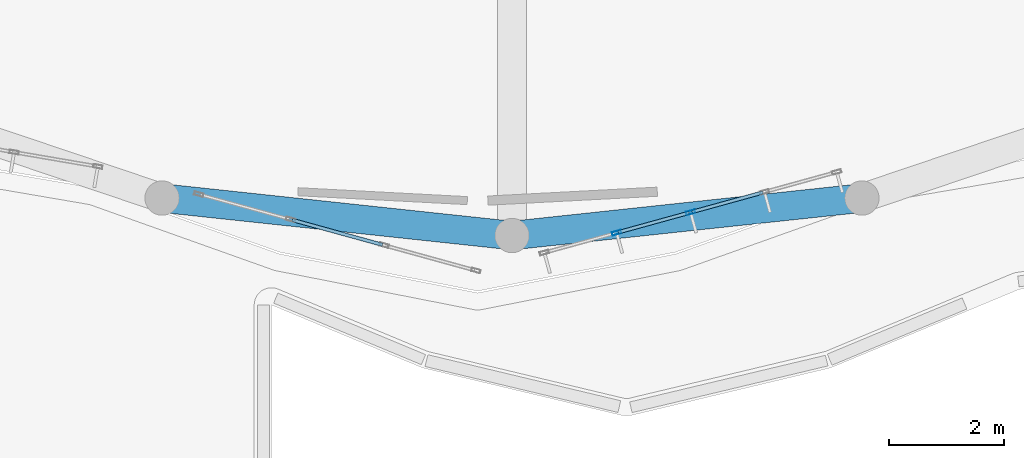
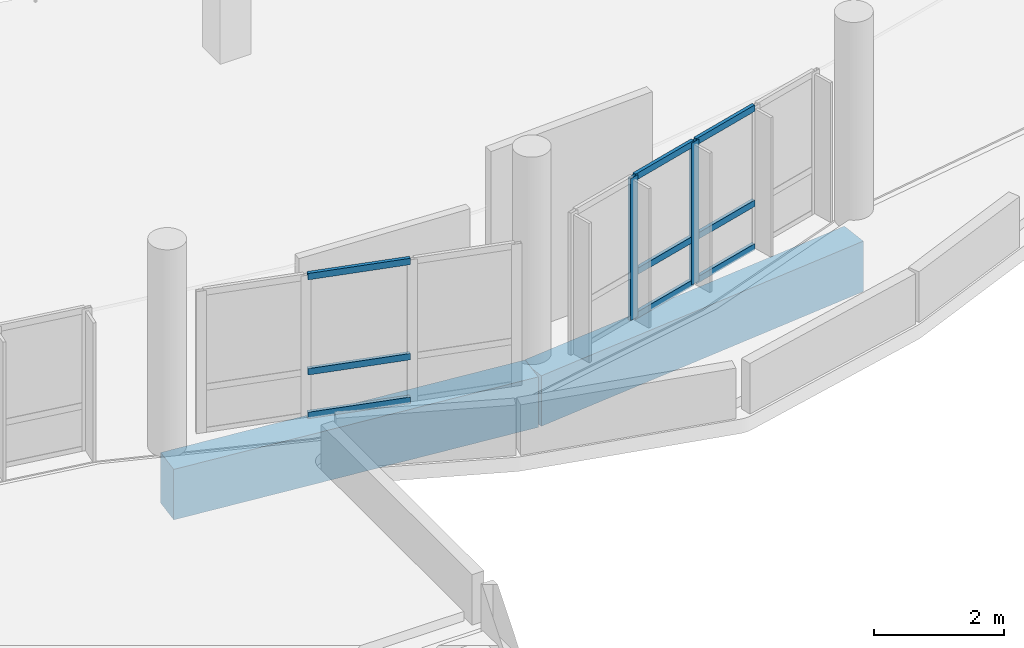
# One storey, part 10 of 74: 11 members, 2 beams, 2 elements without a shape of their own.
"""IFC4 building model written with IfcOpenShell, lengths in metres."""

from ifc_helpers import new_model, si_unit, derived_unit, direction, frame, origin, origin_2d, place, context, subcontext, project, spatial, rectangle, hollow_rectangle, extrude, material, layer, layer_set, material_profile, profile_set, type_object, element, aggregate, save


model = new_model("IFC4")

# Units and contexts
model_context = context("Model", 3, precision=1e-05, world=origin(), true_north=direction((0.0, 1.0)))
body_context = subcontext(model_context, "Body", "Model", "MODEL_VIEW")
ifc_project = project(units=[si_unit("LENGTHUNIT", "METRE"), si_unit("AREAUNIT", "SQUARE_METRE"), si_unit("VOLUMEUNIT", "CUBIC_METRE"), si_unit("PLANEANGLEUNIT", "RADIAN"), si_unit("MASSUNIT", "GRAM", prefix="KILO"), derived_unit("THERMALTRANSMITTANCEUNIT", [(si_unit("POWERUNIT", "WATT"), 1), (si_unit("LENGTHUNIT", "METRE"), -2), (si_unit("THERMODYNAMICTEMPERATUREUNIT", "KELVIN"), -1)])], contexts=[model_context])

# Site, building, storey
site_placement = place(None, origin())
site = spatial("IfcSite", under=ifc_project, at=site_placement, CompositionType="ELEMENT")
building_placement = place(site_placement, origin())
building = spatial("IfcBuilding", under=site, at=building_placement, Name="Elbkamm Science Centre", CompositionType="ELEMENT")
storey_placement = place(building_placement, frame((0.0, 0.0, 14.39990234375)))
storey = spatial("IfcBuildingStorey", under=building, at=storey_placement, Name="L03", CompositionType="ELEMENT", Elevation=14.39990234375)

# Beams
ifc_material_1 = material(Name="Concrete C40/50", Category="concrete")
ifc_material_profile_1 = material_profile(ifc_material_1, rectangle(XDim=0.5, YDim=0.949951171875, at=origin_2d()), Name="RC 500x950")
ifc_profile_set_1 = profile_set([ifc_material_profile_1], Name="Concrete C40/50")
beam_type = type_object("IfcBeamType", Name="BM-RC-500x950", PredefinedType="BEAM", material=ifc_profile_set_1)
for number, where, z_axis, x_axis, name in (
    (1, (56.89208984375, 48.654052734375, -0.7548828125), (0.994315467109, -0.106474184043, 0.0), (0.106474184043, 0.994315467109, 0.0), "L03 Elliptical Shell Perimeter Ring Beam 18"),
    (2, (63.0, 48.0, -0.7548828125), (0.994315467109, 0.106474184043, 0.0), (-0.106474184043, 0.994315467109, 0.0), "L03 Elliptical Shell Perimeter Ring Beam 19"),
):
    element("IfcBeam", number, at=place(storey_placement, frame(where, z_axis=z_axis, x_axis=x_axis)), inside=storey, type_object=beam_type, Name=name, PredefinedType="SPANDREL", context=body_context, shape_type="SweptSolid", body=[
        extrude(rectangle(XDim=0.5, YDim=0.949951171875, at=origin_2d()), origin(), (0.0, 0.0, 1.0), 6.142822265625),
    ])

# Curtain wall, members
ifc_material_2 = material(Name="Powder-coated aluminium and triple low-E glazing", Category="aluminium")
ifc_layer_1 = layer(ifc_material_2, 0.159912109375)
ifc_layer_set_1 = layer_set([ifc_layer_1], Name="Powder-coated aluminium and triple low-E glazing")
curtain_wall_type_1 = type_object("IfcCurtainWallType", Name="CW-UNIT-5360x2680", PredefinedType="USERDEFINED", material=ifc_layer_set_1)
curtain_wall_1_placement = place(storey_placement, origin())
curtain_wall_1 = element("IfcCurtainWall", 3, at=curtain_wall_1_placement, inside=storey, type_object=curtain_wall_type_1, Name="L03 Unitised Curtain Wall 071", ObjectType="UNITISED CURTAIN WALL", PredefinedType="USERDEFINED")
ifc_material_3 = material(Name="Powder-coated aluminium EN AW-6060", Category="aluminium")
ifc_material_profile_2 = material_profile(ifc_material_3, hollow_rectangle(XDim=0.06005859375, YDim=0.159912109375, WallThickness=0.00390625, at=origin_2d()), Name="ALU M60x160")
ifc_profile_set_2 = profile_set([ifc_material_profile_2], Name="Powder-coated aluminium EN AW-6060")
member_type_1 = type_object("IfcMemberType", Name="CW-MUL-60x160", PredefinedType="MULLION", material=ifc_profile_set_2)
member_1_placement = place(storey_placement, frame((64.826171875, 48.048828125, 0.0), z_axis=(0.0, 0.0, 1.0), x_axis=(-0.265729742405, 0.964047563143, 0.0)))
member_1 = element("IfcMember", 4, at=member_1_placement, type_object=member_type_1, Name="CW-030 mullion 2", PredefinedType="MULLION", context=body_context, shape_type="SweptSolid", body=[
    extrude(hollow_rectangle(XDim=0.06005859375, YDim=0.159912109375, WallThickness=0.00390625, at=origin_2d()), origin(), (0.0, 0.0, 1.0), 2.670166015625),
])
member_2_placement = place(storey_placement, frame((66.116943359375, 48.404541015625, 0.0), z_axis=(0.0, 0.0, 1.0), x_axis=(-0.265729742405, 0.964047563143, 0.0)))
member_2 = element("IfcMember", 5, at=member_2_placement, type_object=member_type_1, Name="CW-030 mullion 3", PredefinedType="MULLION", context=body_context, shape_type="SweptSolid", body=[
    extrude(hollow_rectangle(XDim=0.06005859375, YDim=0.159912109375, WallThickness=0.00390625, at=origin_2d()), origin(), (0.0, 0.0, 1.0), 2.670166015625),
])

ifc_layer_2 = layer(ifc_material_2, 0.159912109375)
ifc_layer_set_2 = layer_set([ifc_layer_2], Name="Powder-coated aluminium and triple low-E glazing")
curtain_wall_type_2 = type_object("IfcCurtainWallType", Name="CW-UNIT-5080x2680", PredefinedType="USERDEFINED", material=ifc_layer_set_2)
curtain_wall_2_placement = place(storey_placement, origin())
curtain_wall_2 = element("IfcCurtainWall", 6, at=curtain_wall_2_placement, inside=storey, type_object=curtain_wall_type_2, Name="L03 Unitised Curtain Wall 070", ObjectType="UNITISED CURTAIN WALL", PredefinedType="USERDEFINED")
ifc_material_profile_3 = material_profile(ifc_material_3, hollow_rectangle(XDim=0.06005859375, YDim=0.1201171875, WallThickness=0.00341796875, at=origin_2d()), Name="ALU T60x120")
ifc_profile_set_3 = profile_set([ifc_material_profile_3], Name="Powder-coated aluminium EN AW-6060")
member_type_2 = type_object("IfcMemberType", Name="CW-TRN-60x120", PredefinedType="USERDEFINED", material=ifc_profile_set_3)
member_3_placement = place(storey_placement, frame((59.165283203125, 48.271484375, 0.030029296875), z_axis=(0.96404943585, -0.265722948271, 0.0), x_axis=(0.265722948271, 0.96404943585, 0.0)))
member_3 = element("IfcMember", 7, at=member_3_placement, type_object=member_type_2, Name="CW-029 transom 2.1", ObjectType="TRANSOM", PredefinedType="USERDEFINED", context=body_context, shape_type="SweptSolid", body=[
    extrude(hollow_rectangle(XDim=0.06005859375, YDim=0.1201171875, WallThickness=0.00341796875, at=origin_2d()), origin(), (0.0, 0.0, 1.0), 1.632568359375),
])
member_4_placement = place(storey_placement, frame((59.165283203125, 48.271484375, 0.85009765625), z_axis=(0.96404943585, -0.265722948271, 0.0), x_axis=(0.265722948271, 0.96404943585, 0.0)))
member_4 = element("IfcMember", 8, at=member_4_placement, type_object=member_type_2, Name="CW-029 transom 2.2", ObjectType="TRANSOM", PredefinedType="USERDEFINED", context=body_context, shape_type="SweptSolid", body=[
    extrude(hollow_rectangle(XDim=0.06005859375, YDim=0.1201171875, WallThickness=0.00341796875, at=origin_2d()), origin(), (0.0, 0.0, 1.0), 1.632568359375),
])
member_5_placement = place(storey_placement, frame((59.165283203125, 48.271484375, 2.64013671875), z_axis=(0.96404943585, -0.265722948271, 0.0), x_axis=(0.265722948271, 0.96404943585, 0.0)))
member_5 = element("IfcMember", 9, at=member_5_placement, type_object=member_type_2, Name="CW-029 transom 2.3", ObjectType="TRANSOM", PredefinedType="USERDEFINED", context=body_context, shape_type="SweptSolid", body=[
    extrude(hollow_rectangle(XDim=0.06005859375, YDim=0.1201171875, WallThickness=0.00341796875, at=origin_2d()), origin(), (0.0, 0.0, 1.0), 1.632568359375),
])
aggregate(curtain_wall_2, [member_3, member_4, member_5])

# Member
member_6_placement = place(storey_placement, frame((64.855224609375, 48.056640625, 0.030029296875), z_axis=(0.964046598863, 0.265733240716, 0.0), x_axis=(-0.265733240716, 0.964046598863, 0.0)))
member_6 = element("IfcMember", 10, at=member_6_placement, type_object=member_type_2, Name="CW-030 transom 2.1", ObjectType="TRANSOM", PredefinedType="USERDEFINED", context=body_context, shape_type="SweptSolid", body=[
    extrude(hollow_rectangle(XDim=0.06005859375, YDim=0.1201171875, WallThickness=0.00341796875, at=origin_2d()), origin(), (0.0, 0.0, 1.0), 1.27880859375),
])

member_7_placement = place(storey_placement, frame((64.855224609375, 48.056640625, 0.85009765625), z_axis=(0.964046598863, 0.265733240716, 0.0), x_axis=(-0.265733240716, 0.964046598863, 0.0)))
member_7 = element("IfcMember", 11, at=member_7_placement, type_object=member_type_2, Name="CW-030 transom 2.2", ObjectType="TRANSOM", PredefinedType="USERDEFINED", context=body_context, shape_type="SweptSolid", body=[
    extrude(hollow_rectangle(XDim=0.06005859375, YDim=0.1201171875, WallThickness=0.00341796875, at=origin_2d()), origin(), (0.0, 0.0, 1.0), 1.27880859375),
])

member_8_placement = place(storey_placement, frame((64.855224609375, 48.056640625, 2.64013671875), z_axis=(0.964046598863, 0.265733240716, 0.0), x_axis=(-0.265733240716, 0.964046598863, 0.0)))
member_8 = element("IfcMember", 12, at=member_8_placement, type_object=member_type_2, Name="CW-030 transom 2.3", ObjectType="TRANSOM", PredefinedType="USERDEFINED", context=body_context, shape_type="SweptSolid", body=[
    extrude(hollow_rectangle(XDim=0.06005859375, YDim=0.1201171875, WallThickness=0.00341796875, at=origin_2d()), origin(), (0.0, 0.0, 1.0), 1.27880859375),
])

member_9_placement = place(storey_placement, frame((66.145751953125, 48.41259765625, 0.030029296875), z_axis=(0.964046598863, 0.265733240716, 0.0), x_axis=(-0.265733240716, 0.964046598863, 0.0)))
member_9 = element("IfcMember", 13, at=member_9_placement, type_object=member_type_2, Name="CW-030 transom 3.1", ObjectType="TRANSOM", PredefinedType="USERDEFINED", context=body_context, shape_type="SweptSolid", body=[
    extrude(hollow_rectangle(XDim=0.06005859375, YDim=0.1201171875, WallThickness=0.00341796875, at=origin_2d()), origin(), (0.0, 0.0, 1.0), 1.27880859375),
])

member_10_placement = place(storey_placement, frame((66.145751953125, 48.41259765625, 0.85009765625), z_axis=(0.964046598863, 0.265733240716, 0.0), x_axis=(-0.265733240716, 0.964046598863, 0.0)))
member_10 = element("IfcMember", 14, at=member_10_placement, type_object=member_type_2, Name="CW-030 transom 3.2", ObjectType="TRANSOM", PredefinedType="USERDEFINED", context=body_context, shape_type="SweptSolid", body=[
    extrude(hollow_rectangle(XDim=0.06005859375, YDim=0.1201171875, WallThickness=0.00341796875, at=origin_2d()), origin(), (0.0, 0.0, 1.0), 1.27880859375),
])

member_11_placement = place(storey_placement, frame((66.145751953125, 48.41259765625, 2.64013671875), z_axis=(0.964046598863, 0.265733240716, 0.0), x_axis=(-0.265733240716, 0.964046598863, 0.0)))
member_11 = element("IfcMember", 15, at=member_11_placement, type_object=member_type_2, Name="CW-030 transom 3.3", ObjectType="TRANSOM", PredefinedType="USERDEFINED", context=body_context, shape_type="SweptSolid", body=[
    extrude(hollow_rectangle(XDim=0.06005859375, YDim=0.1201171875, WallThickness=0.00341796875, at=origin_2d()), origin(), (0.0, 0.0, 1.0), 1.27880859375),
])

aggregate(curtain_wall_1, [member_1, member_2, member_6, member_7, member_8, member_9, member_10, member_11])

save(model, "model.ifc")
